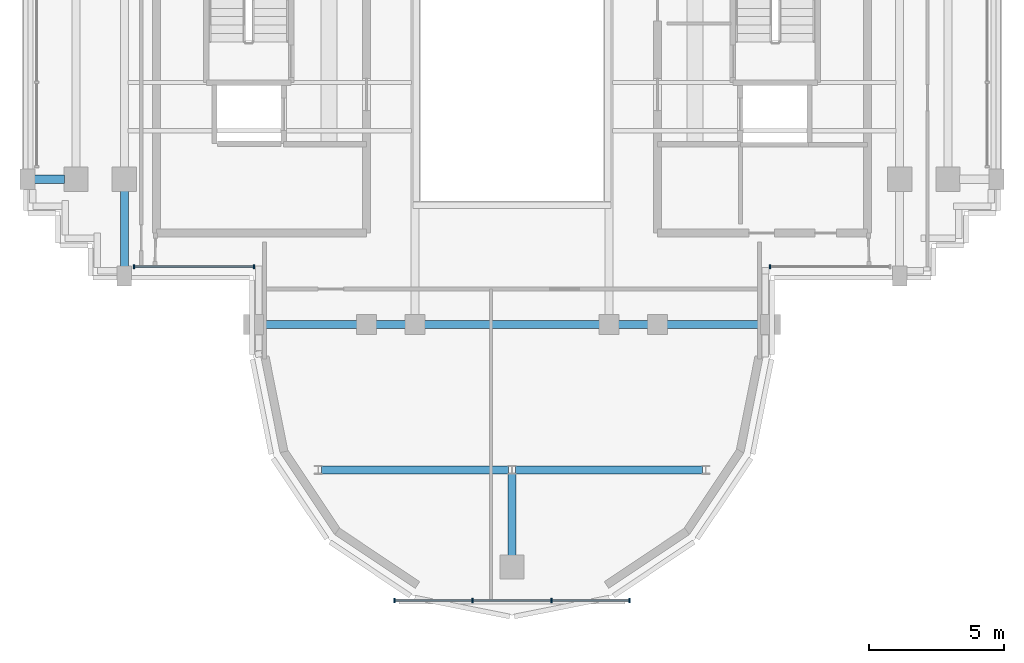
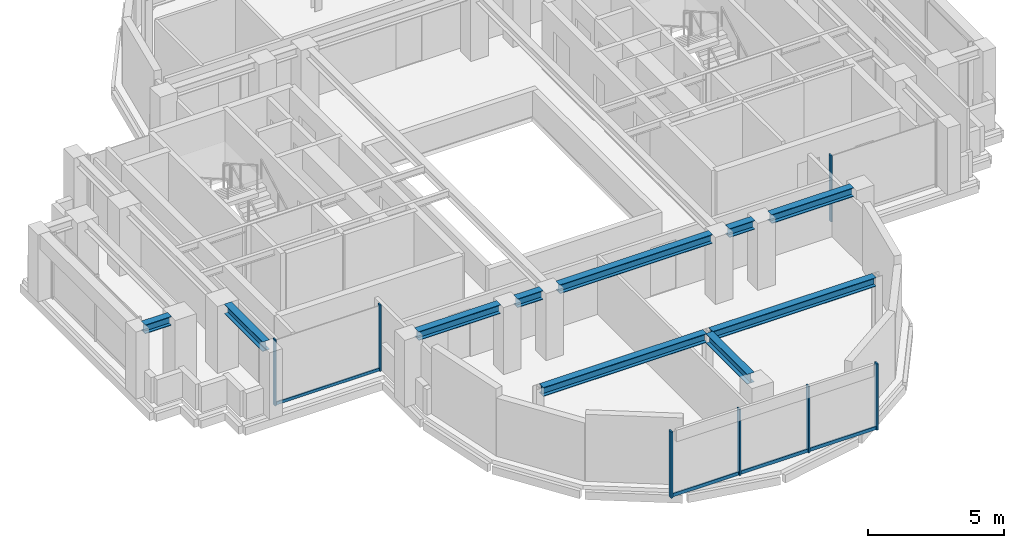
# One storey, part 3 of 12: 11 members, 10 beams, 3 elements without a shape of their own.
"""IFC4 building model written with IfcOpenShell, lengths in metres."""

import ifcopenshell
import ifcopenshell.guid

model = None  # the IFC model being written
_history = None  # IfcOwnerHistory: only IFC2X3 demands one
_inside = {}  # id of a spatial element -> (the spatial element, [elements in it])
_under = {}  # id of a project, library or spatial element -> (it, [spatial elements below it])
_declared = {}  # id of a project -> (the project, [libraries it declares])
_typed = {}  # id of a type object -> (the type object, [elements of that type])
_made_of = {}  # id of a material, layer set ... -> (it, [elements and type objects made of it])


def new_model(schema):
    """Start an empty IFC model of exactly this schema.

    Asked for "IFC4X3", IfcOpenShell would pick the latest addendum, in which some entities
    have other attributes; the version numbers below select the first issue.
    IFC2X3 requires an IfcOwnerHistory on every rooted entity: one is made here for all.
    """
    global model, _history
    if schema == "IFC4X3":
        model = ifcopenshell.file(schema_version=(4, 3, 0, 0))
    else:
        model = ifcopenshell.file(schema=schema)
    _inside.clear()
    _under.clear()
    _declared.clear()
    _typed.clear()
    _made_of.clear()
    _history = None
    if model.schema == "IFC2X3":
        org = make("IfcOrganization", Name="unknown")
        user = make(
            "IfcPersonAndOrganization",
            ThePerson=make("IfcPerson", FamilyName="unknown"),
            TheOrganization=org,
        )
        app = make(
            "IfcApplication",
            ApplicationDeveloper=org,
            Version="unknown",
            ApplicationFullName="unknown",
            ApplicationIdentifier="unknown",
        )
        _history = make(
            "IfcOwnerHistory",
            OwningUser=user,
            OwningApplication=app,
            ChangeAction="ADDED",
            CreationDate=0,
        )
    return model


def make(cls, **values):
    """One entity of the class cls with the attributes given. An attribute that is None is left unset."""
    return model.create_entity(
        cls, **{name: value for name, value in values.items() if value is not None}
    )


def rooted(cls, **values):
    """An entity with a GlobalId (a new one), such as an element, a storey or a relation."""
    return make(cls, GlobalId=ifcopenshell.guid.new(), OwnerHistory=_history, **values)


def si_unit(unit_type, name, prefix=None):
    """IfcSIUnit, for example si_unit("LENGTHUNIT", "METRE", prefix="MILLI")."""
    return make("IfcSIUnit", UnitType=unit_type, Prefix=prefix, Name=name)


def assignment(units):
    """IfcUnitAssignment: the units of a project."""
    return None if units is None else make("IfcUnitAssignment", Units=units)


def point(xyz):
    """IfcCartesianPoint."""
    return None if xyz is None else make("IfcCartesianPoint", Coordinates=xyz)


def direction(xyz):
    """IfcDirection."""
    return None if xyz is None else make("IfcDirection", DirectionRatios=xyz)


def frame(location, z_axis=None, x_axis=None):
    """IfcAxis2Placement3D, a coordinate frame: its origin and axes. An axis left out is left unset."""
    return make(
        "IfcAxis2Placement3D",
        Location=point(location),
        Axis=direction(z_axis),
        RefDirection=direction(x_axis),
    )


def frame_2d(location, x_axis=None):
    """IfcAxis2Placement2D, a coordinate frame in the plane: its origin and x axis."""
    return make(
        "IfcAxis2Placement2D", Location=point(location), RefDirection=direction(x_axis)
    )


def origin():
    """The frame at (0, 0, 0) with its axes left unset."""
    return frame((0.0, 0.0, 0.0))


def origin_2d():
    """The frame at (0, 0) in the plane with its x axis left unset."""
    return frame_2d((0.0, 0.0))


def place(relative_to, where):
    """IfcLocalPlacement: puts the frame where relative to a parent placement (None: the world)."""
    return make(
        "IfcLocalPlacement", PlacementRelTo=relative_to, RelativePlacement=where
    )


def context(
    kind, dimensions, precision=None, world=None, true_north=None, identifier=None
):
    """IfcGeometricRepresentationContext, for example the 3D "Model" context."""
    return make(
        "IfcGeometricRepresentationContext",
        ContextIdentifier=identifier,
        ContextType=kind,
        CoordinateSpaceDimension=dimensions,
        Precision=precision,
        WorldCoordinateSystem=world,
        TrueNorth=true_north,
    )


def subcontext(parent, identifier, kind, view, scale=None):
    """IfcGeometricRepresentationSubContext, for example "Body" below "Model"."""
    return make(
        "IfcGeometricRepresentationSubContext",
        ContextIdentifier=identifier,
        ContextType=kind,
        ParentContext=parent,
        TargetScale=scale,
        TargetView=view,
    )


def project(units=None, contexts=None):
    """IfcProject with its units and contexts."""
    return rooted(
        "IfcProject",
        Name="project",
        RepresentationContexts=contexts,
        UnitsInContext=assignment(units),
    )


def spatial(cls, under=None, at=None, **own):
    """A site, building, storey or space (cls), placed at a placement, below another one or the project."""
    s = rooted(cls, ObjectPlacement=at, **own)
    if under is not None:
        _under.setdefault(under.id(), (under, []))[1].append(s)
    return s


def profile(cls, at=None, kind="AREA", **sizes):
    """A parametric profile (cls). Its sizes go by their IFC names, for example OverallWidth=200.0."""
    return make(cls, ProfileType=kind, Position=at, **sizes)


def rectangle(**sizes):
    """IfcRectangleProfileDef."""
    return profile("IfcRectangleProfileDef", **sizes)


def i_section(**sizes):
    """IfcIShapeProfileDef."""
    return profile("IfcIShapeProfileDef", **sizes)


def extrude(swept, where, along, depth):
    """IfcExtrudedAreaSolid: the profile swept, set in the frame where, extruded along a direction by depth."""
    return make(
        "IfcExtrudedAreaSolid",
        SweptArea=swept,
        Position=where,
        ExtrudedDirection=direction(along),
        Depth=depth,
    )


def shape(context_of_items, identifier, shape_type, items):
    """IfcShapeRepresentation: the items that make up one representation, for example the "Body"."""
    return make(
        "IfcShapeRepresentation",
        ContextOfItems=context_of_items,
        RepresentationIdentifier=identifier,
        RepresentationType=shape_type,
        Items=items,
    )


def source(mapping_origin, context_of_items, identifier, shape_type, items):
    """IfcRepresentationMap: a shape defined once, which mapped items show again and again."""
    return make(
        "IfcRepresentationMap",
        MappingOrigin=mapping_origin,
        MappedRepresentation=shape(context_of_items, identifier, shape_type, items),
    )


def transform(
    local_origin,
    x_axis=None,
    y_axis=None,
    z_axis=None,
    scale=None,
    scale2=None,
    scale3=None,
    uniform=True,
):
    """IfcCartesianTransformationOperator3D, or its non-uniform kind. x_axis, y_axis, z_axis: its Axis1, 2, 3."""
    if uniform:
        return make(
            "IfcCartesianTransformationOperator3D",
            Axis1=direction(x_axis),
            Axis2=direction(y_axis),
            LocalOrigin=point(local_origin),
            Scale=scale,
            Axis3=direction(z_axis),
        )
    return make(
        "IfcCartesianTransformationOperator3DnonUniform",
        Axis1=direction(x_axis),
        Axis2=direction(y_axis),
        LocalOrigin=point(local_origin),
        Scale=scale,
        Axis3=direction(z_axis),
        Scale2=scale2,
        Scale3=scale3,
    )


def mapped(mapping_source, mapping_target):
    """IfcMappedItem: shows the shape of a source again, moved by a transform."""
    return make(
        "IfcMappedItem", MappingSource=mapping_source, MappingTarget=mapping_target
    )


def material(Name=None, Category=None):
    """IfcMaterial."""
    return make("IfcMaterial", Name=Name, Category=Category)


def material_profile(
    of_material, cross_section, Name=None, Category=None, Priority=None
):
    """IfcMaterialProfile: a cross section and its material."""
    return make(
        "IfcMaterialProfile",
        Name=Name,
        Material=of_material,
        Profile=cross_section,
        Priority=Priority,
        Category=Category,
    )


def profile_set(profiles, Name=None, composite=None):
    """IfcMaterialProfileSet."""
    return make(
        "IfcMaterialProfileSet",
        Name=Name,
        MaterialProfiles=profiles,
        CompositeProfile=composite,
    )


def made_of(thing, what):
    """Note that an element or type object is made of a material, layer set ...; save() writes the relation."""
    if what is not None:
        _made_of.setdefault(what.id(), (what, []))[1].append(thing)
    return thing


def type_object(cls, material=None, **own):
    """A type object (cls), such as IfcWallType, which elements share."""
    return made_of(rooted(cls, **own), material)


def element(
    cls,
    number,
    at=None,
    inside=None,
    cuts=None,
    type_object=None,
    material=None,
    context=None,
    identifier="Body",
    shape_type=None,
    held_by="IfcProductDefinitionShape",
    body=None,
    shapes=None,
    **own,
):
    """One element of the class cls, such as IfcWall. Its Tag is "e" and its number.

    at: its placement. inside: the storey or other place that contains it. cuts: it is an
    opening in that element (IfcRelVoidsElement). A single representation is given by context,
    identifier, shape_type and body (its items); several are given by shapes. held_by: the class
    of the entity that holds the representations. save() writes the other relations.
    """
    e = rooted(cls, Tag="e%d" % number, ObjectPlacement=at, **own)
    if body is not None:
        shapes = [shape(context, identifier, shape_type, body)]
    if shapes is not None:
        e.Representation = make(held_by, Representations=shapes)
    if inside is not None:
        _inside.setdefault(inside.id(), (inside, []))[1].append(e)
    if cuts is not None:
        rooted(
            "IfcRelVoidsElement", RelatingBuildingElement=cuts, RelatedOpeningElement=e
        )
    if type_object is not None:
        _typed.setdefault(type_object.id(), (type_object, []))[1].append(e)
    return made_of(e, material)


def aggregate(whole, parts):
    """IfcRelAggregates: a whole, such as a stair, and the parts it consists of."""
    return rooted("IfcRelAggregates", RelatingObject=whole, RelatedObjects=parts)


def save(model, path):
    """Write the relations noted so far, then the file.

    IfcRelAggregates (storeys below a building ...), IfcRelContainedInSpatialStructure (elements
    in a storey), IfcRelDefinesByType, IfcRelAssociatesMaterial and IfcRelDeclares: one each for
    every whole, place, type object, material and project.
    """
    for whole, parts in _under.values():
        aggregate(whole, parts)
    for where, things in _inside.values():
        rooted(
            "IfcRelContainedInSpatialStructure",
            RelatedElements=things,
            RelatingStructure=where,
        )
    for kind, things in _typed.values():
        rooted("IfcRelDefinesByType", RelatedObjects=things, RelatingType=kind)
    for what, things in _made_of.values():
        rooted("IfcRelAssociatesMaterial", RelatedObjects=things, RelatingMaterial=what)
    for by, libraries in _declared.values():
        rooted("IfcRelDeclares", RelatingContext=by, RelatedDefinitions=libraries)
    model.write(path)


model = new_model("IFC4")

# Units and contexts
model_context = context("Model", 3, precision=1e-05, world=origin(), true_north=direction((0.0, 1.0)))
body_context = subcontext(model_context, "Body", "Model", "MODEL_VIEW")
ifc_project = project(units=[si_unit("LENGTHUNIT", "METRE"), si_unit("AREAUNIT", "SQUARE_METRE"), si_unit("VOLUMEUNIT", "CUBIC_METRE"), si_unit("PLANEANGLEUNIT", "RADIAN"), si_unit("MASSUNIT", "GRAM", prefix="KILO")], contexts=[model_context])

# Site, building, storey
site_placement = place(None, origin())
site = spatial("IfcSite", under=ifc_project, at=site_placement, CompositionType="ELEMENT")
building_placement = place(site_placement, origin())
building = spatial("IfcBuilding", under=site, at=building_placement, Name="Keilestroom Media Tower", CompositionType="ELEMENT")
storey_placement = place(building_placement, frame((0.0, 0.0, 236.39990234375)))
storey = spatial("IfcBuildingStorey", under=building, at=storey_placement, Name="L65", CompositionType="ELEMENT", Elevation=236.39990234375)

# Beams
ifc_material_1 = material(Name="Steel S355", Category="steel")
ifc_material_profile_1 = material_profile(ifc_material_1, i_section(OverallWidth=0.300048828125, OverallDepth=0.39990234375, WebThickness=0.011474609375, FlangeThickness=0.02392578125, at=origin_2d()), Name="HEB 400")
ifc_profile_set_1 = profile_set([ifc_material_profile_1], Name="Steel S355")
beam_type_1 = type_object("IfcBeamType", Name="Primary-Structural-Girder-HEB-400", PredefinedType="BEAM", material=ifc_profile_set_1)
shared_shape_1 = source(origin(), body_context, "Body", "SweptSolid", [
    extrude(i_section(OverallWidth=0.300048828125, OverallDepth=0.39990234375, WebThickness=0.011474609375, FlangeThickness=0.02392578125, at=origin_2d()), origin(), (0.0, 0.0, 1.0), 6.940185546875),
])
for number, where, z_axis, x_axis, name in (
    (1, (-7.070068359375, -14.39990234375, 2.81005859375), (1.0, 0.0, 0.0), (0.0, 1.0, 0.0), "L65 Beam BG-8 BM-L65-EW-001"),
    (2, (0.1298828125, -14.39990234375, 2.81005859375), (1.0, 0.0, 0.0), (0.0, 1.0, 0.0), "L65 Beam BG-8 BM-L65-EW-002"),
):
    element("IfcBeam", number, at=place(storey_placement, frame(where, z_axis=z_axis, x_axis=x_axis)), inside=storey, type_object=beam_type_1, Name=name, PredefinedType="BEAM", context=body_context, shape_type="MappedRepresentation", body=[
        mapped(shared_shape_1, transform((0.0, 0.0, 0.0), x_axis=(1.0, 0.0, 0.0), y_axis=(0.0, 1.0, 0.0), z_axis=(0.0, 0.0, 1.0), scale=1.0)),
    ])
shared_shape_2 = source(origin(), body_context, "Body", "SweptSolid", [
    extrude(i_section(OverallWidth=0.300048828125, OverallDepth=0.39990234375, WebThickness=0.011474609375, FlangeThickness=0.02392578125, at=origin_2d()), origin(), (0.0, 0.0, 1.0), 3.490234375),
])
for number, where, z_axis, x_axis, name in (
    (3, (-9.2451171875, -9.0, 2.81005859375), (1.0, 0.0, 0.0), (0.0, 1.0, 0.0), "L65 Beam BG-8 BM-L65-EW-003"),
    (4, (5.7548828125, -9.0, 2.81005859375), (1.0, 0.0, 0.0), (0.0, 1.0, 0.0), "L65 Beam BG-8 BM-L65-EW-007"),
):
    element("IfcBeam", number, at=place(storey_placement, frame(where, z_axis=z_axis, x_axis=x_axis)), inside=storey, type_object=beam_type_1, Name=name, PredefinedType="BEAM", context=body_context, shape_type="MappedRepresentation", body=[
        mapped(shared_shape_2, transform((0.0, 0.0, 0.0), x_axis=(1.0, 0.0, 0.0), y_axis=(0.0, 1.0, 0.0), z_axis=(0.0, 0.0, 1.0), scale=1.0)),
    ])
shared_shape_3 = source(origin(), body_context, "Body", "SweptSolid", [
    extrude(i_section(OverallWidth=0.300048828125, OverallDepth=0.39990234375, WebThickness=0.011474609375, FlangeThickness=0.02392578125, at=origin_2d()), origin(), (0.0, 0.0, 1.0), 1.08984375),
])
for number, where, z_axis, x_axis, name in (
    (5, (-5.044921875, -9.0, 2.81005859375), (1.0, 0.0, 0.0), (0.0, 1.0, 0.0), "L65 Beam BG-8 BM-L65-EW-004"),
    (6, (3.955078125, -9.0, 2.81005859375), (1.0, 0.0, 0.0), (0.0, 1.0, 0.0), "L65 Beam BG-8 BM-L65-EW-006"),
):
    element("IfcBeam", number, at=place(storey_placement, frame(where, z_axis=z_axis, x_axis=x_axis)), inside=storey, type_object=beam_type_1, Name=name, PredefinedType="BEAM", context=body_context, shape_type="MappedRepresentation", body=[
        mapped(shared_shape_3, transform((0.0, 0.0, 0.0), x_axis=(1.0, 0.0, 0.0), y_axis=(0.0, 1.0, 0.0), z_axis=(0.0, 0.0, 1.0), scale=1.0)),
    ])
shared_shape_4 = source(origin(), body_context, "Body", "SweptSolid", [
    extrude(i_section(OverallWidth=0.300048828125, OverallDepth=0.39990234375, WebThickness=0.011474609375, FlangeThickness=0.02392578125, at=origin_2d()), origin(), (0.0, 0.0, 1.0), 6.490234375),
])
beam_1_placement = place(storey_placement, frame((-3.2451171875, -9.0, 2.81005859375), z_axis=(1.0, 0.0, 0.0), x_axis=(0.0, 1.0, 0.0)))
element("IfcBeam", 7, at=beam_1_placement, inside=storey, type_object=beam_type_1, Name="L65 Beam BG-8 BM-L65-EW-005", PredefinedType="BEAM", context=body_context, shape_type="MappedRepresentation", body=[
    mapped(shared_shape_4, transform((0.0, 0.0, 0.0), x_axis=(1.0, 0.0, 0.0), y_axis=(0.0, 1.0, 0.0), z_axis=(0.0, 0.0, 1.0), scale=1.0)),
])
shared_shape_5 = source(origin(), body_context, "Body", "SweptSolid", [
    extrude(i_section(OverallWidth=0.300048828125, OverallDepth=0.39990234375, WebThickness=0.011474609375, FlangeThickness=0.02392578125, at=origin_2d()), origin(), (0.0, 0.0, 1.0), 1.115234375),
])
beam_2_placement = place(storey_placement, frame((-17.7451171875, -3.60009765625, 2.81005859375), z_axis=(1.0, 0.0, 0.0), x_axis=(0.0, 1.0, 0.0)))
element("IfcBeam", 8, at=beam_2_placement, inside=storey, type_object=beam_type_1, Name="L65 Beam BG-8 BM-L65-EW-008", PredefinedType="BEAM", context=body_context, shape_type="MappedRepresentation", body=[
    mapped(shared_shape_5, transform((0.0, 0.0, 0.0), x_axis=(1.0, 0.0, 0.0), y_axis=(0.0, 1.0, 0.0), z_axis=(0.0, 0.0, 1.0), scale=1.0)),
])
ifc_material_profile_2 = material_profile(ifc_material_1, i_section(OverallWidth=0.300048828125, OverallDepth=0.43994140625, WebThickness=0.011474609375, FlangeThickness=0.02099609375, at=origin_2d()), Name="HEA 450")
ifc_profile_set_2 = profile_set([ifc_material_profile_2], Name="Steel S355")
beam_type_2 = type_object("IfcBeamType", Name="Primary-Structural-Girder-HEA-450", PredefinedType="BEAM", material=ifc_profile_set_2)
shared_shape_6 = source(origin(), body_context, "Body", "SweptSolid", [
    extrude(i_section(OverallWidth=0.300048828125, OverallDepth=0.43994140625, WebThickness=0.011474609375, FlangeThickness=0.02099609375, at=origin_2d()), origin(), (0.0, 0.0, 1.0), 2.81494140625),
])
beam_3_placement = place(storey_placement, frame((-14.39990234375, -6.844970703125, 2.7900390625), z_axis=(0.0, 1.0, 0.0), x_axis=(-1.0, 0.0, 0.0)))
element("IfcBeam", 9, at=beam_3_placement, inside=storey, type_object=beam_type_2, Name="L65 Beam BG-11 BM-L65-NS-027", PredefinedType="BEAM", context=body_context, shape_type="MappedRepresentation", body=[
    mapped(shared_shape_6, transform((0.0, 0.0, 0.0), x_axis=(1.0, 0.0, 0.0), y_axis=(0.0, 1.0, 0.0), z_axis=(0.0, 0.0, 1.0), scale=1.0)),
])
shared_shape_7 = source(origin(), body_context, "Body", "SweptSolid", [
    extrude(i_section(OverallWidth=0.300048828125, OverallDepth=0.43994140625, WebThickness=0.011474609375, FlangeThickness=0.02099609375, at=origin_2d()), origin(), (0.0, 0.0, 1.0), 3.0400390625),
])
beam_4_placement = place(storey_placement, frame((0.0, -17.570068359375, 2.7900390625), z_axis=(0.0, 1.0, 0.0), x_axis=(-1.0, 0.0, 0.0)))
element("IfcBeam", 10, at=beam_4_placement, inside=storey, type_object=beam_type_2, Name="L65 Beam BG-11 BM-L65-NS-034", PredefinedType="BEAM", context=body_context, shape_type="MappedRepresentation", body=[
    mapped(shared_shape_7, transform((0.0, 0.0, 0.0), x_axis=(1.0, 0.0, 0.0), y_axis=(0.0, 1.0, 0.0), z_axis=(0.0, 0.0, 1.0), scale=1.0)),
])

# Curtain wall, members
ifc_material_2 = material(Name="Anodised Aluminium Alloy", Category="aluminium")
curtain_wall_type_1 = type_object("IfcCurtainWallType", Name="Unitised-Curtain-Wall-CW-6", PredefinedType="NOTDEFINED", material=ifc_material_2)
curtain_wall_1_placement = place(storey_placement, origin())
curtain_wall_1 = element("IfcCurtainWall", 11, at=curtain_wall_1_placement, inside=storey, type_object=curtain_wall_type_1, Name="L65 Curtain Wall CW-6 CW-L65-LS-1", PredefinedType="NOTDEFINED")
ifc_material_profile_3 = material_profile(ifc_material_2, rectangle(XDim=0.06494140625, YDim=0.179931640625, at=origin_2d()), Name="ALU MULLION 65x180")
ifc_profile_set_3 = profile_set([ifc_material_profile_3], Name="Anodised Aluminium Alloy")
member_type_1 = type_object("IfcMemberType", Name="Curtain-Wall-Mullion-CW-6", PredefinedType="MULLION", material=ifc_profile_set_3)
shared_shape_8 = source(origin(), body_context, "Body", "SweptSolid", [
    extrude(rectangle(XDim=0.06494140625, YDim=0.179931640625, at=origin_2d()), origin(), (0.0, 0.0, 1.0), 2.97998046875),
])
member_1_placement = place(storey_placement, frame((-4.367431640625, -19.25, 0.0), z_axis=(0.0, 0.0, 1.0), x_axis=(1.0, 0.0, 0.0)))
member_1 = element("IfcMember", 12, at=member_1_placement, type_object=member_type_1, Name="CW-6 Mullion 00", PredefinedType="MULLION", context=body_context, shape_type="MappedRepresentation", body=[
    mapped(shared_shape_8, transform((0.0, 0.0, 0.0), x_axis=(1.0, 0.0, 0.0), y_axis=(0.0, 1.0, 0.0), z_axis=(0.0, 0.0, 1.0), scale=1.0)),
])
member_2_placement = place(storey_placement, frame((-1.466796875, -19.25, 0.0), z_axis=(0.0, 0.0, 1.0), x_axis=(1.0, 0.0, 0.0)))
member_2 = element("IfcMember", 13, at=member_2_placement, type_object=member_type_1, Name="CW-6 Mullion 01", PredefinedType="MULLION", context=body_context, shape_type="MappedRepresentation", body=[
    mapped(shared_shape_8, transform((0.0, 0.0, 0.0), x_axis=(1.0, 0.0, 0.0), y_axis=(0.0, 1.0, 0.0), z_axis=(0.0, 0.0, 1.0), scale=1.0)),
])
member_3_placement = place(storey_placement, frame((1.466796875, -19.25, 0.0), z_axis=(0.0, 0.0, 1.0), x_axis=(1.0, 0.0, 0.0)))
member_3 = element("IfcMember", 14, at=member_3_placement, type_object=member_type_1, Name="CW-6 Mullion 02", PredefinedType="MULLION", context=body_context, shape_type="MappedRepresentation", body=[
    mapped(shared_shape_8, transform((0.0, 0.0, 0.0), x_axis=(1.0, 0.0, 0.0), y_axis=(0.0, 1.0, 0.0), z_axis=(0.0, 0.0, 1.0), scale=1.0)),
])
member_4_placement = place(storey_placement, frame((4.367431640625, -19.25, 0.0), z_axis=(0.0, 0.0, 1.0), x_axis=(1.0, 0.0, 0.0)))
member_4 = element("IfcMember", 15, at=member_4_placement, type_object=member_type_1, Name="CW-6 Mullion 03", PredefinedType="MULLION", context=body_context, shape_type="MappedRepresentation", body=[
    mapped(shared_shape_8, transform((0.0, 0.0, 0.0), x_axis=(1.0, 0.0, 0.0), y_axis=(0.0, 1.0, 0.0), z_axis=(0.0, 0.0, 1.0), scale=1.0)),
])
ifc_material_profile_4 = material_profile(ifc_material_2, rectangle(XDim=0.06494140625, YDim=0.14990234375, at=origin_2d()), Name="ALU TRANSOM 65x150")
ifc_profile_set_4 = profile_set([ifc_material_profile_4], Name="Anodised Aluminium Alloy")
member_type_2 = type_object("IfcMemberType", Name="Curtain-Wall-Transom-CW-6", PredefinedType="USERDEFINED", material=ifc_profile_set_4)
shared_shape_9 = source(origin(), body_context, "Body", "SweptSolid", [
    extrude(rectangle(XDim=0.06494140625, YDim=0.14990234375, at=origin_2d()), origin(), (0.0, 0.0, 1.0), 2.839599609375),
])
member_5_placement = place(storey_placement, frame((-4.3369140625, -19.25, 0.0751953125), z_axis=(1.0, 0.0, 0.0), x_axis=(0.0, 1.0, 0.0)))
member_5 = element("IfcMember", 16, at=member_5_placement, type_object=member_type_2, Name="CW-6 Transom 00.1", ObjectType="TRANSOM", PredefinedType="USERDEFINED", context=body_context, shape_type="MappedRepresentation", body=[
    mapped(shared_shape_9, transform((0.0, 0.0, 0.0), x_axis=(1.0, 0.0, 0.0), y_axis=(0.0, 1.0, 0.0), z_axis=(0.0, 0.0, 1.0), scale=1.0)),
])
member_6_placement = place(storey_placement, frame((1.497314453125, -19.25, 0.0751953125), z_axis=(1.0, 0.0, 0.0), x_axis=(0.0, 1.0, 0.0)))
member_6 = element("IfcMember", 17, at=member_6_placement, type_object=member_type_2, Name="CW-6 Transom 02.1", ObjectType="TRANSOM", PredefinedType="USERDEFINED", context=body_context, shape_type="MappedRepresentation", body=[
    mapped(shared_shape_9, transform((0.0, 0.0, 0.0), x_axis=(1.0, 0.0, 0.0), y_axis=(0.0, 1.0, 0.0), z_axis=(0.0, 0.0, 1.0), scale=1.0)),
])
shared_shape_10 = source(origin(), body_context, "Body", "SweptSolid", [
    extrude(rectangle(XDim=0.06494140625, YDim=0.14990234375, at=origin_2d()), origin(), (0.0, 0.0, 1.0), 2.87255859375),
])
member_7_placement = place(storey_placement, frame((-1.436279296875, -19.25, 0.0751953125), z_axis=(1.0, 0.0, 0.0), x_axis=(0.0, 1.0, 0.0)))
member_7 = element("IfcMember", 18, at=member_7_placement, type_object=member_type_2, Name="CW-6 Transom 01.1", ObjectType="TRANSOM", PredefinedType="USERDEFINED", context=body_context, shape_type="MappedRepresentation", body=[
    mapped(shared_shape_10, transform((0.0, 0.0, 0.0), x_axis=(1.0, 0.0, 0.0), y_axis=(0.0, 1.0, 0.0), z_axis=(0.0, 0.0, 1.0), scale=1.0)),
])
aggregate(curtain_wall_1, [member_1, member_2, member_3, member_4, member_5, member_7, member_6])

curtain_wall_type_2 = type_object("IfcCurtainWallType", Name="Unitised-Curtain-Wall-CW-4", PredefinedType="NOTDEFINED", material=ifc_material_2)
curtain_wall_2_placement = place(storey_placement, origin())
curtain_wall_2 = element("IfcCurtainWall", 19, at=curtain_wall_2_placement, inside=storey, type_object=curtain_wall_type_2, Name="L65 Curtain Wall CW-4 CW-L65-SW-1", PredefinedType="NOTDEFINED")
ifc_material_profile_5 = material_profile(ifc_material_2, rectangle(XDim=0.06005859375, YDim=0.159912109375, at=origin_2d()), Name="ALU MULLION 60x160")
ifc_profile_set_5 = profile_set([ifc_material_profile_5], Name="Anodised Aluminium Alloy")
member_type_3 = type_object("IfcMemberType", Name="Curtain-Wall-Mullion-CW-4", PredefinedType="MULLION", material=ifc_profile_set_5)
shared_shape_11 = source(origin(), body_context, "Body", "SweptSolid", [
    extrude(rectangle(XDim=0.06005859375, YDim=0.159912109375, at=origin_2d()), origin(), (0.0, 0.0, 1.0), 2.97998046875),
])
member_8_placement = place(storey_placement, frame((-14.034912109375, -6.85009765625, 0.0), z_axis=(0.0, 0.0, 1.0), x_axis=(1.0, 0.0, 0.0)))
member_8 = element("IfcMember", 20, at=member_8_placement, type_object=member_type_3, Name="CW-4 Mullion 00", PredefinedType="MULLION", context=body_context, shape_type="MappedRepresentation", body=[
    mapped(shared_shape_11, transform((0.0, 0.0, 0.0), x_axis=(1.0, 0.0, 0.0), y_axis=(0.0, 1.0, 0.0), z_axis=(0.0, 0.0, 1.0), scale=1.0)),
])
member_9_placement = place(storey_placement, frame((-9.580078125, -6.85009765625, 0.0), z_axis=(0.0, 0.0, 1.0), x_axis=(1.0, 0.0, 0.0)))
member_9 = element("IfcMember", 21, at=member_9_placement, type_object=member_type_3, Name="CW-4 Mullion 01", PredefinedType="MULLION", context=body_context, shape_type="MappedRepresentation", body=[
    mapped(shared_shape_11, transform((0.0, 0.0, 0.0), x_axis=(1.0, 0.0, 0.0), y_axis=(0.0, 1.0, 0.0), z_axis=(0.0, 0.0, 1.0), scale=1.0)),
])

# Curtain wall, member
curtain_wall_3_placement = place(storey_placement, origin())
curtain_wall_3 = element("IfcCurtainWall", 22, at=curtain_wall_3_placement, inside=storey, type_object=curtain_wall_type_2, Name="L65 Curtain Wall CW-4 CW-L65-SE-1", PredefinedType="NOTDEFINED")
member_10_placement = place(storey_placement, frame((9.580078125, -6.85009765625, 0.0), z_axis=(0.0, 0.0, 1.0), x_axis=(1.0, 0.0, 0.0)))
member_10 = element("IfcMember", 23, at=member_10_placement, type_object=member_type_3, Name="CW-4 Mullion 00", PredefinedType="MULLION", context=body_context, shape_type="MappedRepresentation", body=[
    mapped(shared_shape_11, transform((0.0, 0.0, 0.0), x_axis=(1.0, 0.0, 0.0), y_axis=(0.0, 1.0, 0.0), z_axis=(0.0, 0.0, 1.0), scale=1.0)),
])
aggregate(curtain_wall_3, [member_10])

# Member
ifc_material_profile_6 = material_profile(ifc_material_2, rectangle(XDim=0.06005859375, YDim=0.1298828125, at=origin_2d()), Name="ALU TRANSOM 60x130")
ifc_profile_set_6 = profile_set([ifc_material_profile_6], Name="Anodised Aluminium Alloy")
member_type_4 = type_object("IfcMemberType", Name="Curtain-Wall-Transom-CW-4", PredefinedType="USERDEFINED", material=ifc_profile_set_6)
shared_shape_12 = source(origin(), body_context, "Body", "SweptSolid", [
    extrude(rectangle(XDim=0.06005859375, YDim=0.1298828125, at=origin_2d()), origin(), (0.0, 0.0, 1.0), 4.399169921875),
])
member_11_placement = place(storey_placement, frame((-14.007080078125, -6.85009765625, 0.065185546875), z_axis=(1.0, 0.0, 0.0), x_axis=(0.0, 1.0, 0.0)))
member_11 = element("IfcMember", 24, at=member_11_placement, type_object=member_type_4, Name="CW-4 Transom 00.1", ObjectType="TRANSOM", PredefinedType="USERDEFINED", context=body_context, shape_type="MappedRepresentation", body=[
    mapped(shared_shape_12, transform((0.0, 0.0, 0.0), x_axis=(1.0, 0.0, 0.0), y_axis=(0.0, 1.0, 0.0), z_axis=(0.0, 0.0, 1.0), scale=1.0)),
])

aggregate(curtain_wall_2, [member_8, member_9, member_11])

save(model, "model.ifc")
